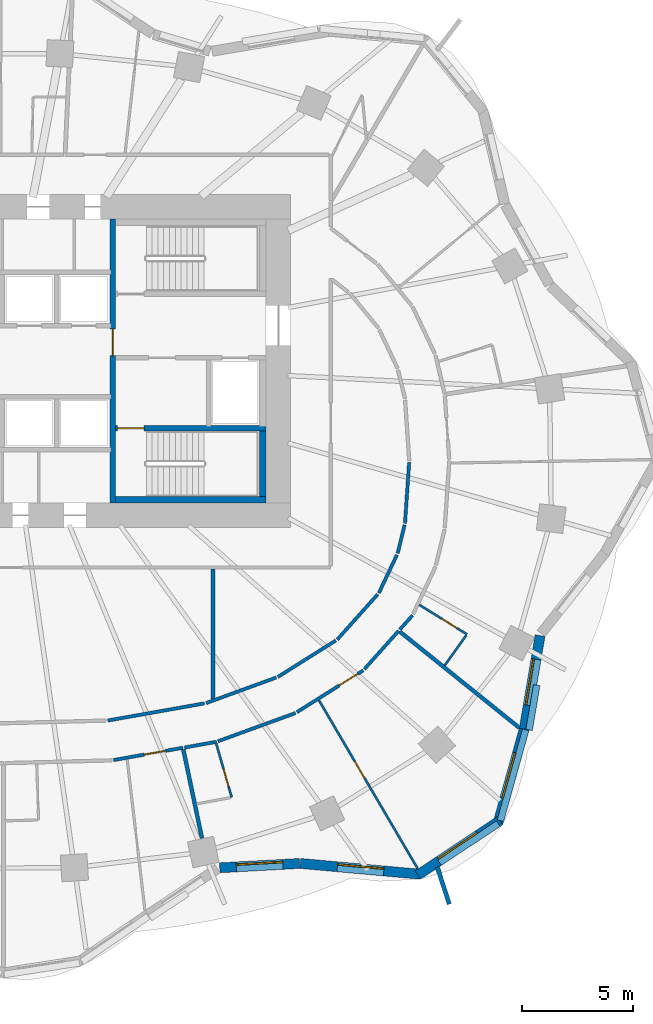
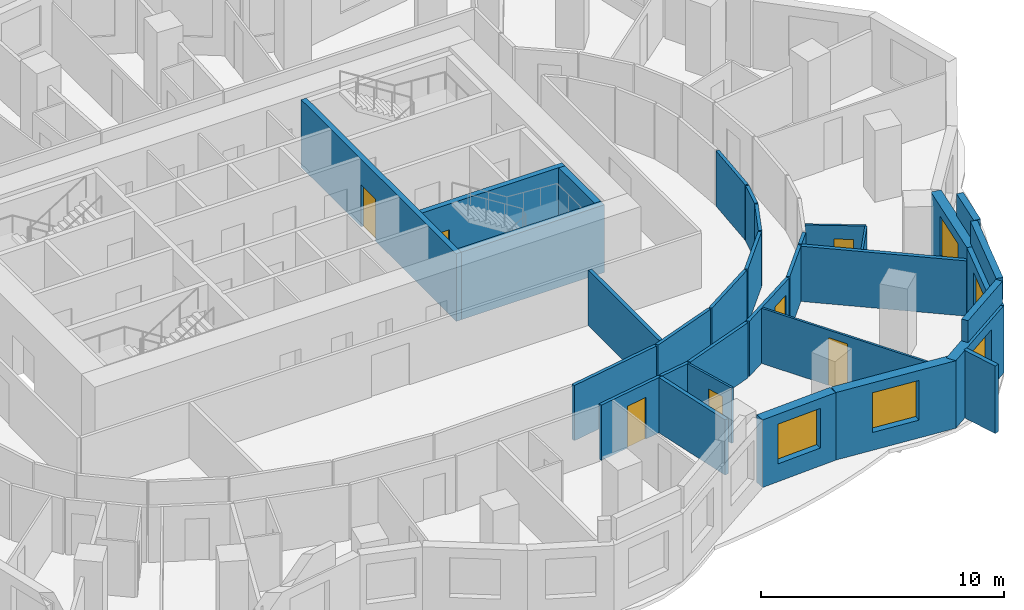
# One storey, part 6 of 11: 33 walls, 7 doors, 5 windows, 12 openings.
"""IFC4 building model written with IfcOpenShell, lengths in metres."""

from ifc_helpers import new_model, si_unit, direction, frame, frame_2d, origin, place, context, subcontext, project, spatial, rectangle, extrude, material, layer, layer_set, type_object, element, fill, save


model = new_model("IFC4")

# Units and contexts
model_context = context("Model", 3, precision=1e-05, world=origin(), true_north=direction((0.0, 1.0)))
body_context = subcontext(model_context, "Body", "Model", "MODEL_VIEW")
ifc_project = project(units=[si_unit("LENGTHUNIT", "METRE"), si_unit("AREAUNIT", "SQUARE_METRE"), si_unit("VOLUMEUNIT", "CUBIC_METRE"), si_unit("PLANEANGLEUNIT", "RADIAN"), si_unit("MASSUNIT", "GRAM", prefix="KILO")], contexts=[model_context])

# Site, building, storey
site_placement = place(None, origin())
site = spatial("IfcSite", under=ifc_project, at=site_placement, CompositionType="ELEMENT")
building_placement = place(site_placement, origin())
building = spatial("IfcBuilding", under=site, at=building_placement, Name="Rubra Terraces Tower", CompositionType="ELEMENT")
storey_placement = place(building_placement, frame((0.0, 0.0, 81.60009765625)))
storey = spatial("IfcBuildingStorey", under=building, at=storey_placement, Name="L18", CompositionType="ELEMENT", Elevation=81.60009765625)

# Walls
ifc_material_1 = material(Name="Twin plasterboard on staggered steel stud, acoustic mineral wool", Category="steel")
ifc_layer_1 = layer(ifc_material_1, 0.175048828125)
ifc_layer_set_1 = layer_set([ifc_layer_1], Name="Twin plasterboard on staggered steel stud, acoustic mineral wool")
wall_type_1 = type_object("IfcWallType", Name="ACOUSTIC PARTY WALL 175", PredefinedType="PARTITIONING", material=ifc_layer_set_1)
wall_1_placement = place(storey_placement, frame((9.00341796875, -17.003662109375, 0.0), z_axis=(0.0, 0.0, 1.0), x_axis=(-0.205490383359, 0.978659134912, 0.0)))
element("IfcWall", 1, at=wall_1_placement, inside=storey, type_object=wall_type_1, Name="PARTITION", PredefinedType="PARTITIONING", context=body_context, shape_type="SweptSolid", body=[
    extrude(rectangle(XDim=4.093017578125, YDim=0.175048828125, at=frame_2d((2.04638671875, 0.0))), origin(), (0.0, 0.0, 1.0), 2.783935546875),
])
wall_2_placement = place(storey_placement, frame((23.302001953125, -12.0234375, 0.0), z_axis=(0.0, 0.0, 1.0), x_axis=(-0.779049211338, 0.626962779049, 0.0)))
element("IfcWall", 2, at=wall_2_placement, inside=storey, type_object=wall_type_1, Name="PARTITION", PredefinedType="PARTITIONING", context=body_context, shape_type="SweptSolid", body=[
    extrude(rectangle(XDim=6.89794921875, YDim=0.175048828125, at=frame_2d((3.448974609375, 0.0))), origin(), (0.0, 0.0, 1.0), 2.783935546875),
])
wall_3_placement = place(storey_placement, frame((9.5, -10.723388671875, 0.0), z_axis=(0.0, 0.0, 1.0), x_axis=(0.0, 1.0, 0.0)))
element("IfcWall", 3, at=wall_3_placement, inside=storey, type_object=wall_type_1, Name="PARTITION", PredefinedType="PARTITIONING", context=body_context, shape_type="SweptSolid", body=[
    extrude(rectangle(XDim=5.848388671875, YDim=0.175048828125, at=frame_2d((2.92431640625, 0.0))), origin(), (0.0, 0.0, 1.0), 2.783935546875),
])

# Wall, opening, window
ifc_material_2 = material(Name="Brick masonry red-brown", Category="masonry")
ifc_layer_2 = layer(ifc_material_2, 0.449951171875)
ifc_layer_set_2 = layer_set([ifc_layer_2], Name="Brick masonry red-brown")
wall_type_2 = type_object("IfcWallType", Name="Brick facade wall 450", PredefinedType="SOLIDWALL", material=ifc_layer_set_2)
wall_4_placement = place(storey_placement, frame((9.80322265625, -18.333740234375, 0.0), z_axis=(0.0, 0.0, 1.0), x_axis=(0.998525941495, 0.054276552602, 0.0)))
wall_4 = element("IfcWall", 4, at=wall_4_placement, inside=storey, type_object=wall_type_2, Name="Facade wall L18 bay 34", PredefinedType="SOLIDWALL", context=body_context, shape_type="SweptSolid", body=[
    extrude(rectangle(XDim=3.60302734375, YDim=0.449951171875, at=frame_2d((1.801513671875, 0.0))), origin(), (0.0, 0.0, 1.0), 3.39990234375),
])
opening_1_placement = place(wall_4_placement, frame((0.75146484375, 0.0, 0.89990234375)))
opening_1 = element("IfcOpeningElement", 5, at=opening_1_placement, cuts=wall_4, Name="Opening W1", PredefinedType="OPENING", context=body_context, shape_type="SweptSolid", body=[
    extrude(rectangle(XDim=2.10009765625, YDim=2.0, at=frame_2d((1.050048828125, 1.0))), frame((0.0, 0.23486328125, 0.0), z_axis=(0.0, -1.0, 0.0), x_axis=(1.0, 0.0, 0.0)), (0.0, 0.0, 1.0), 0.469970703125),
])
ifc_material_3 = material(Name="Clear glass in aluminium frame", Category="aluminium")
window_type = type_object("IfcWindowType", Name="Fixed deep-set window 2100 x 2000", PartitioningType="SINGLE_PANEL", PredefinedType="WINDOW", material=ifc_material_3)
window_1_placement = place(opening_1_placement, origin())
window_1 = element("IfcWindow", 6, at=window_1_placement, inside=storey, type_object=window_type, Name="Window L18 bay 34", OverallHeight=2.0, OverallWidth=2.10009765625, PartitioningType="SINGLE_PANEL", PredefinedType="WINDOW", context=body_context, shape_type="SweptSolid", body=[
    extrude(rectangle(XDim=2.10009765625, YDim=2.0, at=frame_2d((1.050048828125, 1.0))), frame((0.0, 0.135009765625, 0.0), z_axis=(0.0, -1.0, 0.0), x_axis=(1.0, 0.0, 0.0)), (0.0, 0.0, 1.0), 0.06005859375),
])
fill(opening_1, window_1)

wall_5_placement = place(storey_placement, frame((13.435791015625, -18.1376953125, 0.0), z_axis=(0.0, 0.0, 1.0), x_axis=(0.99598810213, -0.089485755376, 0.0)))
wall_5 = element("IfcWall", 7, at=wall_5_placement, inside=storey, type_object=wall_type_2, Name="Facade wall L18 bay 35", PredefinedType="SOLIDWALL", context=body_context, shape_type="SweptSolid", body=[
    extrude(rectangle(XDim=5.451171875, YDim=0.449951171875, at=frame_2d((2.7255859375, 0.0))), origin(), (0.0, 0.0, 1.0), 3.39990234375),
])
opening_2_placement = place(wall_5_placement, frame((1.675537109375, 0.0, 0.89990234375)))
opening_2 = element("IfcOpeningElement", 8, at=opening_2_placement, cuts=wall_5, Name="Opening W1", PredefinedType="OPENING", context=body_context, shape_type="SweptSolid", body=[
    extrude(rectangle(XDim=2.10009765625, YDim=2.0, at=frame_2d((1.050048828125, 1.0))), frame((0.0, 0.23486328125, 0.0), z_axis=(0.0, -1.0, 0.0), x_axis=(1.0, 0.0, 0.0)), (0.0, 0.0, 1.0), 0.469970703125),
])
window_2_placement = place(opening_2_placement, origin())
window_2 = element("IfcWindow", 9, at=window_2_placement, inside=storey, type_object=window_type, Name="Window L18 bay 35", OverallHeight=2.0, OverallWidth=2.10009765625, PartitioningType="SINGLE_PANEL", PredefinedType="WINDOW", context=body_context, shape_type="SweptSolid", body=[
    extrude(rectangle(XDim=2.10009765625, YDim=2.0, at=frame_2d((1.050048828125, 1.0))), frame((0.0, 0.135009765625, 0.0), z_axis=(0.0, -1.0, 0.0), x_axis=(1.0, 0.0, 0.0)), (0.0, 0.0, 1.0), 0.06005859375),
])
fill(opening_2, window_2)

wall_6_placement = place(storey_placement, frame((18.7255859375, -18.66259765625, 0.0), z_axis=(0.0, 0.0, 1.0), x_axis=(0.83333921474, 0.552761931736, 0.0)))
wall_6 = element("IfcWall", 10, at=wall_6_placement, inside=storey, type_object=wall_type_2, Name="Facade wall L18 bay 36", PredefinedType="SOLIDWALL", context=body_context, shape_type="SweptSolid", body=[
    extrude(rectangle(XDim=4.45068359375, YDim=0.449951171875, at=frame_2d((2.225341796875, 0.0))), origin(), (0.0, 0.0, 1.0), 3.39990234375),
])
opening_3_placement = place(wall_6_placement, frame((1.17529296875, 0.0, 0.89990234375)))
opening_3 = element("IfcOpeningElement", 11, at=opening_3_placement, cuts=wall_6, Name="Opening W1", PredefinedType="OPENING", context=body_context, shape_type="SweptSolid", body=[
    extrude(rectangle(XDim=2.10009765625, YDim=2.0, at=frame_2d((1.050048828125, 1.0))), frame((0.0, 0.23486328125, 0.0), z_axis=(0.0, -1.0, 0.0), x_axis=(1.0, 0.0, 0.0)), (0.0, 0.0, 1.0), 0.469970703125),
])
window_3_placement = place(opening_3_placement, origin())
window_3 = element("IfcWindow", 12, at=window_3_placement, inside=storey, type_object=window_type, Name="Window L18 bay 36", OverallHeight=2.0, OverallWidth=2.10009765625, PartitioningType="SINGLE_PANEL", PredefinedType="WINDOW", context=body_context, shape_type="SweptSolid", body=[
    extrude(rectangle(XDim=2.10009765625, YDim=2.0, at=frame_2d((1.050048828125, 1.0))), frame((0.0, 0.135009765625, 0.0), z_axis=(0.0, -1.0, 0.0), x_axis=(1.0, 0.0, 0.0)), (0.0, 0.0, 1.0), 0.06005859375),
])
fill(opening_3, window_3)

wall_7_placement = place(storey_placement, frame((22.343505859375, -16.32568359375, 0.0), z_axis=(0.0, 0.0, 1.0), x_axis=(0.267925456304, 0.963439645159, 0.0)))
wall_7 = element("IfcWall", 13, at=wall_7_placement, inside=storey, type_object=wall_type_2, Name="Facade wall L18 bay 37", PredefinedType="SOLIDWALL", context=body_context, shape_type="SweptSolid", body=[
    extrude(rectangle(XDim=4.4267578125, YDim=0.449951171875, at=frame_2d((2.21337890625, 0.0))), origin(), (0.0, 0.0, 1.0), 3.39990234375),
])
opening_4_placement = place(wall_7_placement, frame((1.16357421875, 0.0, 0.89990234375)))
opening_4 = element("IfcOpeningElement", 14, at=opening_4_placement, cuts=wall_7, Name="Opening W1", PredefinedType="OPENING", context=body_context, shape_type="SweptSolid", body=[
    extrude(rectangle(XDim=2.10009765625, YDim=2.0, at=frame_2d((1.050048828125, 1.0))), frame((0.0, 0.23486328125, 0.0), z_axis=(0.0, -1.0, 0.0), x_axis=(1.0, 0.0, 0.0)), (0.0, 0.0, 1.0), 0.469970703125),
])
window_4_placement = place(opening_4_placement, origin())
window_4 = element("IfcWindow", 15, at=window_4_placement, inside=storey, type_object=window_type, Name="Window L18 bay 37", OverallHeight=2.0, OverallWidth=2.10009765625, PartitioningType="SINGLE_PANEL", PredefinedType="WINDOW", context=body_context, shape_type="SweptSolid", body=[
    extrude(rectangle(XDim=2.10009765625, YDim=2.0, at=frame_2d((1.050048828125, 1.0))), frame((0.0, 0.135009765625, 0.0), z_axis=(0.0, -1.0, 0.0), x_axis=(1.0, 0.0, 0.0)), (0.0, 0.0, 1.0), 0.06005859375),
])
fill(opening_4, window_4)

wall_8_placement = place(storey_placement, frame((23.524169921875, -12.0830078125, 0.0), z_axis=(0.0, 0.0, 1.0), x_axis=(0.167445072349, 0.985881406532, 0.0)))
wall_8 = element("IfcWall", 16, at=wall_8_placement, inside=storey, type_object=wall_type_2, Name="Facade wall L18 bay 38", PredefinedType="SOLIDWALL", context=body_context, shape_type="SweptSolid", body=[
    extrude(rectangle(XDim=4.27490234375, YDim=0.449951171875, at=frame_2d((2.137451171875, 0.0))), origin(), (0.0, 0.0, 1.0), 3.39990234375),
])
opening_5_placement = place(wall_8_placement, frame((1.08740234375, 0.0, 0.89990234375)))
opening_5 = element("IfcOpeningElement", 17, at=opening_5_placement, cuts=wall_8, Name="Opening W1", PredefinedType="OPENING", context=body_context, shape_type="SweptSolid", body=[
    extrude(rectangle(XDim=2.10009765625, YDim=2.0, at=frame_2d((1.050048828125, 1.0))), frame((0.0, 0.23486328125, 0.0), z_axis=(0.0, -1.0, 0.0), x_axis=(1.0, 0.0, 0.0)), (0.0, 0.0, 1.0), 0.469970703125),
])
window_5_placement = place(opening_5_placement, origin())
window_5 = element("IfcWindow", 18, at=window_5_placement, inside=storey, type_object=window_type, Name="Window L18 bay 38", OverallHeight=2.0, OverallWidth=2.10009765625, PartitioningType="SINGLE_PANEL", PredefinedType="WINDOW", context=body_context, shape_type="SweptSolid", body=[
    extrude(rectangle(XDim=2.10009765625, YDim=2.0, at=frame_2d((1.050048828125, 1.0))), frame((0.0, 0.135009765625, 0.0), z_axis=(0.0, -1.0, 0.0), x_axis=(1.0, 0.0, 0.0)), (0.0, 0.0, 1.0), 0.06005859375),
])
fill(opening_5, window_5)

# Walls
ifc_layer_3 = layer(ifc_material_2, 0.300048828125)
ifc_layer_set_3 = layer_set([ifc_layer_3], Name="Brick masonry red-brown")
wall_type_3 = type_object("IfcWallType", Name="Brick parapet 300", PredefinedType="PARAPET", material=ifc_layer_set_3)
wall_9_placement = place(storey_placement, frame((19.70751953125, -18.101318359375, 3.599853515625), z_axis=(0.0, 0.0, 1.0), x_axis=(0.833370664286, 0.552714515738, 0.0)))
element("IfcWall", 19, at=wall_9_placement, inside=storey, type_object=wall_type_3, Name="Parapet L18 bay 36", PredefinedType="PARAPET", context=body_context, shape_type="SweptSolid", body=[
    extrude(rectangle(XDim=3.180419921875, YDim=0.300048828125, at=frame_2d((1.59033203125, 0.0))), origin(), (0.0, 0.0, 1.0), 1.10009765625),
])
wall_10_placement = place(storey_placement, frame((22.452392578125, -16.213134765625, 3.599853515625), z_axis=(0.0, 0.0, 1.0), x_axis=(0.267993020858, 0.963420853403, 0.0)))
element("IfcWall", 20, at=wall_10_placement, inside=storey, type_object=wall_type_3, Name="Parapet L18 bay 37", PredefinedType="PARAPET", context=body_context, shape_type="SweptSolid", body=[
    extrude(rectangle(XDim=4.25537109375, YDim=0.300048828125, at=frame_2d((2.127685546875, 0.0))), origin(), (0.0, 0.0, 1.0), 1.10009765625),
])
wall_11_placement = place(storey_placement, frame((23.7451171875, -12.125, 3.599853515625), z_axis=(0.0, 0.0, 1.0), x_axis=(0.16743218322, 0.985883595574, 0.0)))
element("IfcWall", 21, at=wall_11_placement, inside=storey, type_object=wall_type_3, Name="Parapet L18 bay 38", PredefinedType="PARAPET", context=body_context, shape_type="SweptSolid", body=[
    extrude(rectangle(XDim=2.048583984375, YDim=0.300048828125, at=frame_2d((1.0244140625, 0.0))), origin(), (0.0, 0.0, 1.0), 1.10009765625),
])
ifc_layer_4 = layer(ifc_material_2, 0.199951171875)
ifc_layer_set_4 = layer_set([ifc_layer_4], Name="Brick masonry red-brown")
wall_type_4 = type_object("IfcWallType", Name="Brick wind fin 200", PredefinedType="SOLIDWALL", material=ifc_layer_set_4)
wall_12_placement = place(storey_placement, frame((19.60888671875, -18.304931640625, 0.0), z_axis=(0.0, 0.0, 1.0), x_axis=(0.308600224758, -0.951191832008, 0.0)))
element("IfcWall", 22, at=wall_12_placement, inside=storey, type_object=wall_type_4, Name="Wind fin L18 22", PredefinedType="SOLIDWALL", context=body_context, shape_type="SweptSolid", body=[
    extrude(rectangle(XDim=1.75, YDim=0.199951171875, at=frame_2d((0.875, 0.0))), origin(), (0.0, 0.0, 1.0), 3.39990234375),
])

# Wall, opening, door
ifc_material_4 = material(Name="Plasterboard on steel stud, mineral wool infill", Category="steel")
ifc_layer_5 = layer(ifc_material_4, 0.14990234375)
ifc_layer_set_5 = layer_set([ifc_layer_5], Name="Plasterboard on steel stud, mineral wool infill")
wall_type_5 = type_object("IfcWallType", Name="CORRIDOR PARTITION 150", PredefinedType="PARTITIONING", material=ifc_layer_set_5)
wall_13_placement = place(storey_placement, frame((5.0146484375, -13.480224609375, 0.0), z_axis=(0.0, 0.0, 1.0), x_axis=(0.984640294338, 0.174595219768, 0.0)))
wall_13 = element("IfcWall", 23, at=wall_13_placement, inside=storey, type_object=wall_type_5, Name="PARTITION", PredefinedType="PARTITIONING", context=body_context, shape_type="SweptSolid", body=[
    extrude(rectangle(XDim=3.18115234375, YDim=0.14990234375, at=frame_2d((1.590576171875, 0.0))), origin(), (0.0, 0.0, 1.0), 2.783935546875),
])
opening_6_placement = place(wall_13_placement, frame((1.39990234375, 0.0, 0.0)))
opening_6 = element("IfcOpeningElement", 24, at=opening_6_placement, cuts=wall_13, Name="Opening 18-129", PredefinedType="OPENING", context=body_context, shape_type="SweptSolid", body=[
    extrude(rectangle(XDim=1.0, YDim=2.10009765625, at=frame_2d((0.5, 1.050048828125))), frame((0.0, 0.0849609375, 0.0), z_axis=(0.0, -1.0, 0.0), x_axis=(1.0, 0.0, 0.0)), (0.0, 0.0, 1.0), 0.169921875),
])
ifc_material_5 = material(Name="Painted timber door leaf", Category="wood")
door_type_1 = type_object("IfcDoorType", Name="ROOM DOOR 1000 X 2100", OperationType="SINGLE_SWING_LEFT", PredefinedType="DOOR", material=ifc_material_5)
door_1_placement = place(opening_6_placement, origin())
door_1 = element("IfcDoor", 25, at=door_1_placement, inside=storey, type_object=door_type_1, Name="DOOR 18-129", OperationType="SINGLE_SWING_RIGHT", OverallHeight=2.10009765625, OverallWidth=1.0, PredefinedType="DOOR", context=body_context, shape_type="SweptSolid", body=[
    extrude(rectangle(XDim=1.0, YDim=2.10009765625, at=frame_2d((0.5, 1.050048828125))), frame((0.0, 0.02490234375, 0.0), z_axis=(0.0, -1.0, 0.0), x_axis=(1.0, 0.0, 0.0)), (0.0, 0.0, 1.0), 0.050048828125),
])
fill(opening_6, door_1)

# Walls
wall_14_placement = place(storey_placement, frame((8.220703125, -12.91162109375, 0.0), z_axis=(0.0, 0.0, 1.0), x_axis=(0.984645082055, 0.174568216995, 0.0)))
element("IfcWall", 26, at=wall_14_placement, inside=storey, type_object=wall_type_5, Name="PARTITION", PredefinedType="PARTITIONING", context=body_context, shape_type="SweptSolid", body=[
    extrude(rectangle(XDim=1.458740234375, YDim=0.14990234375, at=frame_2d((0.7294921875, 0.0))), origin(), (0.0, 0.0, 1.0), 2.783935546875),
])
wall_15_placement = place(storey_placement, frame((9.7275390625, -12.631103515625, 0.0), z_axis=(0.0, 0.0, 1.0), x_axis=(0.939626438181, 0.342201923826, 0.0)))
element("IfcWall", 27, at=wall_15_placement, inside=storey, type_object=wall_type_5, Name="PARTITION", PredefinedType="PARTITIONING", context=body_context, shape_type="SweptSolid", body=[
    extrude(rectangle(XDim=3.71630859375, YDim=0.14990234375, at=frame_2d((1.858154296875, 0.0))), origin(), (0.0, 0.0, 1.0), 2.783935546875),
])

# Wall, opening, door
wall_16_placement = place(storey_placement, frame((13.282958984375, -11.3193359375, 0.0), z_axis=(0.0, 0.0, 1.0), x_axis=(0.84630789582, 0.532694044901, 0.0)))
wall_16 = element("IfcWall", 28, at=wall_16_placement, inside=storey, type_object=wall_type_5, Name="PARTITION", PredefinedType="PARTITIONING", context=body_context, shape_type="SweptSolid", body=[
    extrude(rectangle(XDim=3.5302734375, YDim=0.14990234375, at=frame_2d((1.76513671875, 0.0))), origin(), (0.0, 0.0, 1.0), 2.783935546875),
])
opening_7_placement = place(wall_16_placement, frame((2.25, 0.0, 0.0)))
opening_7 = element("IfcOpeningElement", 29, at=opening_7_placement, cuts=wall_16, Name="Opening 18-132", PredefinedType="OPENING", context=body_context, shape_type="SweptSolid", body=[
    extrude(rectangle(XDim=1.0, YDim=2.10009765625, at=frame_2d((0.5, 1.050048828125))), frame((0.0, 0.0849609375, 0.0), z_axis=(0.0, -1.0, 0.0), x_axis=(1.0, 0.0, 0.0)), (0.0, 0.0, 1.0), 0.169921875),
])
door_2_placement = place(opening_7_placement, origin())
door_2 = element("IfcDoor", 30, at=door_2_placement, inside=storey, type_object=door_type_1, Name="DOOR 18-132", OperationType="SINGLE_SWING_RIGHT", OverallHeight=2.10009765625, OverallWidth=1.0, PredefinedType="DOOR", context=body_context, shape_type="SweptSolid", body=[
    extrude(rectangle(XDim=1.0, YDim=2.10009765625, at=frame_2d((0.5, 1.050048828125))), frame((0.0, 0.02490234375, 0.0), z_axis=(0.0, -1.0, 0.0), x_axis=(1.0, 0.0, 0.0)), (0.0, 0.0, 1.0), 0.050048828125),
])
fill(opening_7, door_2)

# Walls
wall_17_placement = place(storey_placement, frame((16.32080078125, -9.3828125, 0.0), z_axis=(0.0, 0.0, 1.0), x_axis=(0.666871661175, 0.745172589083, 0.0)))
element("IfcWall", 31, at=wall_17_placement, inside=storey, type_object=wall_type_5, Name="PARTITION", PredefinedType="PARTITIONING", context=body_context, shape_type="SweptSolid", body=[
    extrude(rectangle(XDim=2.322998046875, YDim=0.14990234375, at=frame_2d((1.16162109375, 0.0))), origin(), (0.0, 0.0, 1.0), 2.783935546875),
])
wall_18_placement = place(storey_placement, frame((17.919921875, -7.595947265625, 0.0), z_axis=(0.0, 0.0, 1.0), x_axis=(0.666719674525, 0.745308577437, 0.0)))
element("IfcWall", 32, at=wall_18_placement, inside=storey, type_object=wall_type_5, Name="PARTITION", PredefinedType="PARTITIONING", context=body_context, shape_type="SweptSolid", body=[
    extrude(rectangle(XDim=0.854248046875, YDim=0.14990234375, at=frame_2d((0.42724609375, 0.0))), origin(), (0.0, 0.0, 1.0), 2.783935546875),
])
wall_19_placement = place(storey_placement, frame((18.339599609375, -0.07470703125, 0.0), z_axis=(0.0, 0.0, 1.0), x_axis=(-0.068328193832, -0.997662897941, 0.0)))
element("IfcWall", 33, at=wall_19_placement, inside=storey, type_object=wall_type_5, Name="PARTITION", PredefinedType="PARTITIONING", context=body_context, shape_type="SweptSolid", body=[
    extrude(rectangle(XDim=2.740478515625, YDim=0.14990234375, at=frame_2d((1.3701171875, 0.0))), origin(), (0.0, 0.0, 1.0), 2.783935546875),
])
wall_20_placement = place(storey_placement, frame((18.134521484375, -2.8818359375, 0.0), z_axis=(0.0, 0.0, 1.0), x_axis=(-0.236653741324, -0.971594054489, 0.0)))
element("IfcWall", 34, at=wall_20_placement, inside=storey, type_object=wall_type_5, Name="PARTITION", PredefinedType="PARTITIONING", context=body_context, shape_type="SweptSolid", body=[
    extrude(rectangle(XDim=1.319580078125, YDim=0.14990234375, at=frame_2d((0.65966796875, 0.0))), origin(), (0.0, 0.0, 1.0), 2.783935546875),
])
wall_21_placement = place(storey_placement, frame((17.7900390625, -4.2314453125, 0.0), z_axis=(0.0, 0.0, 1.0), x_axis=(-0.428042272357, -0.90375871397, 0.0)))
element("IfcWall", 35, at=wall_21_placement, inside=storey, type_object=wall_type_5, Name="PARTITION", PredefinedType="PARTITIONING", context=body_context, shape_type="SweptSolid", body=[
    extrude(rectangle(XDim=1.905029296875, YDim=0.14990234375, at=frame_2d((0.95263671875, 0.0))), origin(), (0.0, 0.0, 1.0), 2.783935546875),
])
wall_22_placement = place(storey_placement, frame((16.924560546875, -6.009033203125, 0.0), z_axis=(0.0, 0.0, 1.0), x_axis=(-0.666893859891, -0.745152722359, 0.0)))
element("IfcWall", 36, at=wall_22_placement, inside=storey, type_object=wall_type_5, Name="PARTITION", PredefinedType="PARTITIONING", context=body_context, shape_type="SweptSolid", body=[
    extrude(rectangle(XDim=2.739013671875, YDim=0.14990234375, at=frame_2d((1.36962890625, 0.0))), origin(), (0.0, 0.0, 1.0), 2.783935546875),
])
wall_23_placement = place(storey_placement, frame((15.034423828125, -8.090087890625, 0.0), z_axis=(0.0, 0.0, 1.0), x_axis=(-0.846322679414, -0.532670557014, 0.0)))
element("IfcWall", 37, at=wall_23_placement, inside=storey, type_object=wall_type_5, Name="PARTITION", PredefinedType="PARTITIONING", context=body_context, shape_type="SweptSolid", body=[
    extrude(rectangle(XDim=3.08544921875, YDim=0.14990234375, at=frame_2d((1.542724609375, 0.0))), origin(), (0.0, 0.0, 1.0), 2.783935546875),
])
wall_24_placement = place(storey_placement, frame((12.3525390625, -9.759521484375, 0.0), z_axis=(0.0, 0.0, 1.0), x_axis=(-0.939632450309, -0.342185415127, 0.0)))
element("IfcWall", 38, at=wall_24_placement, inside=storey, type_object=wall_type_5, Name="PARTITION", PredefinedType="PARTITIONING", context=body_context, shape_type="SweptSolid", body=[
    extrude(rectangle(XDim=3.36767578125, YDim=0.14990234375, at=frame_2d((1.683837890625, 0.0))), origin(), (0.0, 0.0, 1.0), 2.783935546875),
])
wall_25_placement = place(storey_placement, frame((9.114501953125, -10.925048828125, 0.0), z_axis=(0.0, 0.0, 1.0), x_axis=(-0.984632605417, -0.174638576352, 0.0)))
element("IfcWall", 39, at=wall_25_placement, inside=storey, type_object=wall_type_5, Name="PARTITION", PredefinedType="PARTITIONING", context=body_context, shape_type="SweptSolid", body=[
    extrude(rectangle(XDim=4.423095703125, YDim=0.14990234375, at=frame_2d((2.21142578125, 0.0))), origin(), (0.0, 0.0, 1.0), 2.783935546875),
])
ifc_material_6 = material(Name="Concrete C40", Category="concrete")
ifc_layer_6 = layer(ifc_material_6, 0.300048828125)
ifc_layer_set_6 = layer_set([ifc_layer_6], Name="Concrete C40")
wall_type_6 = type_object("IfcWallType", Name="Core lining wall 300 concrete", PredefinedType="SOLIDWALL", material=ifc_layer_set_6)
wall_26_placement = place(storey_placement, frame((11.75, 1.35009765625, 0.0), z_axis=(0.0, 0.0, 1.0), x_axis=(0.0, -1.0, 0.0)))
element("IfcWall", 40, at=wall_26_placement, inside=storey, type_object=wall_type_6, Name="CORE LINING WALL L18", PredefinedType="SOLIDWALL", context=body_context, shape_type="SweptSolid", body=[
    extrude(rectangle(XDim=2.9501953125, YDim=0.300048828125, at=frame_2d((1.47509765625, 0.0))), origin(), (0.0, 0.0, 1.0), 3.39990234375),
])
wall_27_placement = place(storey_placement, frame((11.89990234375, -1.75, 0.0), z_axis=(0.0, 0.0, 1.0), x_axis=(-1.0, 0.0, 0.0)))
element("IfcWall", 41, at=wall_27_placement, inside=storey, type_object=wall_type_6, Name="CORE LINING WALL L18", PredefinedType="SOLIDWALL", context=body_context, shape_type="SweptSolid", body=[
    extrude(rectangle(XDim=6.7998046875, YDim=0.300048828125, at=frame_2d((3.39990234375, 0.0))), origin(), (0.0, 0.0, 1.0), 3.39990234375),
])

# Wall, opening, door
ifc_material_7 = material(Name="Plasterboard on steel stud", Category="steel")
ifc_layer_7 = layer(ifc_material_7, 0.10009765625)
ifc_layer_set_7 = layer_set([ifc_layer_7], Name="Plasterboard on steel stud")
wall_type_7 = type_object("IfcWallType", Name="ROOM PARTITION 100", PredefinedType="PARTITIONING", material=ifc_layer_set_7)
wall_28_placement = place(storey_placement, frame((18.730224609375, -18.383544921875, 0.0), z_axis=(0.0, 0.0, 1.0), x_axis=(-0.50573941389, 0.862686295961, 0.0)))
wall_28 = element("IfcWall", 42, at=wall_28_placement, inside=storey, type_object=wall_type_7, Name="PARTITION", PredefinedType="PARTITIONING", context=body_context, shape_type="SweptSolid", body=[
    extrude(rectangle(XDim=8.8095703125, YDim=0.10009765625, at=frame_2d((4.40478515625, 0.0))), origin(), (0.0, 0.0, 1.0), 2.783935546875),
])
opening_8_placement = place(wall_28_placement, frame((4.735107421875, 0.0, 0.0)))
opening_8 = element("IfcOpeningElement", 43, at=opening_8_placement, cuts=wall_28, Name="Opening 18-131", PredefinedType="OPENING", context=body_context, shape_type="SweptSolid", body=[
    extrude(rectangle(XDim=0.89990234375, YDim=2.39990234375, at=frame_2d((0.449951171875, 1.199951171875))), frame((0.0, 0.06005859375, 0.0), z_axis=(0.0, -1.0, 0.0), x_axis=(1.0, 0.0, 0.0)), (0.0, 0.0, 1.0), 0.1201171875),
])
ifc_material_8 = material(Name="Veneered timber door leaf, fire-rated", Category="wood")
door_type_2 = type_object("IfcDoorType", Name="SUITE ENTRANCE DOOR 900 X 2400", OperationType="SINGLE_SWING_LEFT", PredefinedType="DOOR", material=ifc_material_8)
door_3_placement = place(opening_8_placement, origin())
door_3 = element("IfcDoor", 44, at=door_3_placement, inside=storey, type_object=door_type_2, Name="DOOR 18-131", OperationType="SINGLE_SWING_LEFT", OverallHeight=2.39990234375, OverallWidth=0.89990234375, PredefinedType="DOOR", context=body_context, shape_type="SweptSolid", body=[
    extrude(rectangle(XDim=0.89990234375, YDim=2.39990234375, at=frame_2d((0.449951171875, 1.199951171875))), frame((0.0, 0.02490234375, 0.0), z_axis=(0.0, -1.0, 0.0), x_axis=(1.0, 0.0, 0.0)), (0.0, 0.0, 1.0), 0.050048828125),
])
fill(opening_8, door_3)

wall_29_placement = place(storey_placement, frame((9.644775390625, -12.73486328125, 0.0), z_axis=(0.0, 0.0, 1.0), x_axis=(0.27694262008, -0.960886458008, 0.0)))
wall_29 = element("IfcWall", 45, at=wall_29_placement, inside=storey, type_object=wall_type_7, Name="PARTITION", PredefinedType="PARTITIONING", context=body_context, shape_type="SweptSolid", body=[
    extrude(rectangle(XDim=2.524658203125, YDim=0.10009765625, at=frame_2d((1.26220703125, 0.0))), origin(), (0.0, 0.0, 1.0), 2.783935546875),
])
opening_9_placement = place(wall_29_placement, frame((1.199951171875, 0.0, 0.0)))
opening_9 = element("IfcOpeningElement", 46, at=opening_9_placement, cuts=wall_29, Name="Opening 18-130", PredefinedType="OPENING", context=body_context, shape_type="SweptSolid", body=[
    extrude(rectangle(XDim=0.800048828125, YDim=2.10009765625, at=frame_2d((0.39990234375, 1.050048828125))), frame((0.0, 0.06005859375, 0.0), z_axis=(0.0, -1.0, 0.0), x_axis=(1.0, 0.0, 0.0)), (0.0, 0.0, 1.0), 0.1201171875),
])
door_type_3 = type_object("IfcDoorType", Name="BATHROOM DOOR 800 X 2100", OperationType="SINGLE_SWING_LEFT", PredefinedType="DOOR", material=ifc_material_5)
door_4_placement = place(opening_9_placement, origin())
door_4 = element("IfcDoor", 47, at=door_4_placement, inside=storey, type_object=door_type_3, Name="DOOR 18-130", OperationType="SINGLE_SWING_LEFT", OverallHeight=2.10009765625, OverallWidth=0.800048828125, PredefinedType="DOOR", context=body_context, shape_type="SweptSolid", body=[
    extrude(rectangle(XDim=0.800048828125, YDim=2.10009765625, at=frame_2d((0.39990234375, 1.050048828125))), frame((0.0, 0.02490234375, 0.0), z_axis=(0.0, -1.0, 0.0), x_axis=(1.0, 0.0, 0.0)), (0.0, 0.0, 1.0), 0.050048828125),
])
fill(opening_9, door_4)

wall_30_placement = place(storey_placement, frame((18.797607421875, -6.483154296875, 0.0), z_axis=(0.0, 0.0, 1.0), x_axis=(0.850374338708, -0.526178186612, 0.0)))
wall_30 = element("IfcWall", 48, at=wall_30_placement, inside=storey, type_object=wall_type_7, Name="PARTITION", PredefinedType="PARTITIONING", context=body_context, shape_type="SweptSolid", body=[
    extrude(rectangle(XDim=2.525146484375, YDim=0.10009765625, at=frame_2d((1.2626953125, 0.0))), origin(), (0.0, 0.0, 1.0), 2.783935546875),
])
opening_10_placement = place(wall_30_placement, frame((1.199951171875, 0.0, 0.0)))
opening_10 = element("IfcOpeningElement", 49, at=opening_10_placement, cuts=wall_30, Name="Opening 18-133", PredefinedType="OPENING", context=body_context, shape_type="SweptSolid", body=[
    extrude(rectangle(XDim=0.800048828125, YDim=2.10009765625, at=frame_2d((0.39990234375, 1.050048828125))), frame((0.0, 0.06005859375, 0.0), z_axis=(0.0, -1.0, 0.0), x_axis=(1.0, 0.0, 0.0)), (0.0, 0.0, 1.0), 0.1201171875),
])
door_5_placement = place(opening_10_placement, origin())
door_5 = element("IfcDoor", 50, at=door_5_placement, inside=storey, type_object=door_type_3, Name="DOOR 18-133", OperationType="SINGLE_SWING_LEFT", OverallHeight=2.10009765625, OverallWidth=0.800048828125, PredefinedType="DOOR", context=body_context, shape_type="SweptSolid", body=[
    extrude(rectangle(XDim=0.800048828125, YDim=2.10009765625, at=frame_2d((0.39990234375, 1.050048828125))), frame((0.0, 0.02490234375, 0.0), z_axis=(0.0, -1.0, 0.0), x_axis=(1.0, 0.0, 0.0)), (0.0, 0.0, 1.0), 0.050048828125),
])
fill(opening_10, door_5)

# Wall
wall_31_placement = place(storey_placement, frame((20.915771484375, -7.852294921875, 0.0), z_axis=(0.0, 0.0, 1.0), x_axis=(-0.580922254291, -0.813959049627, 0.0)))
element("IfcWall", 51, at=wall_31_placement, inside=storey, type_object=wall_type_7, Name="PARTITION", PredefinedType="PARTITIONING", context=body_context, shape_type="SweptSolid", body=[
    extrude(rectangle(XDim=1.681396484375, YDim=0.10009765625, at=frame_2d((0.8408203125, 0.0))), origin(), (0.0, 0.0, 1.0), 2.783935546875),
])

# Wall, opening, door
ifc_layer_8 = layer(ifc_material_6, 0.25)
ifc_layer_set_8 = layer_set([ifc_layer_8], Name="Concrete C40")
wall_type_8 = type_object("IfcWallType", Name="Stair enclosure wall 250 concrete", PredefinedType="SOLIDWALL", material=ifc_layer_set_8)
wall_32_placement = place(storey_placement, frame((11.89990234375, 1.47509765625, 0.0), z_axis=(0.0, 0.0, 1.0), x_axis=(-1.0, 0.0, 0.0)))
wall_32 = element("IfcWall", 52, at=wall_32_placement, inside=storey, type_object=wall_type_8, Name="STAIR WALL L18", PredefinedType="SOLIDWALL", context=body_context, shape_type="SweptSolid", body=[
    extrude(rectangle(XDim=6.7998046875, YDim=0.25, at=frame_2d((3.39990234375, 0.0))), origin(), (0.0, 0.0, 1.0), 3.39990234375),
])
opening_11_placement = place(wall_32_placement, frame((5.5, 0.0, 0.0)))
opening_11 = element("IfcOpeningElement", 53, at=opening_11_placement, cuts=wall_32, Name="Opening L18.C10", PredefinedType="OPENING", context=body_context, shape_type="SweptSolid", body=[
    extrude(rectangle(XDim=1.199951171875, YDim=2.10009765625, at=frame_2d((0.60009765625, 1.050048828125))), frame((0.0, 0.135009765625, 0.0), z_axis=(0.0, -1.0, 0.0), x_axis=(1.0, 0.0, 0.0)), (0.0, 0.0, 1.0), 0.27001953125),
])
ifc_material_9 = material(Name="Painted steel", Category="steel")
door_type_4 = type_object("IfcDoorType", Name="Fire door 1200x2100 single", OperationType="NOTDEFINED", PredefinedType="DOOR", material=ifc_material_9)
door_6_placement = place(opening_11_placement, origin())
door_6 = element("IfcDoor", 54, at=door_6_placement, inside=storey, type_object=door_type_4, Name="Stair door S4", OperationType="SINGLE_SWING_RIGHT", OverallHeight=2.10009765625, OverallWidth=1.199951171875, PredefinedType="DOOR", context=body_context, shape_type="SweptSolid", body=[
    extrude(rectangle(XDim=1.199951171875, YDim=2.10009765625, at=frame_2d((0.60009765625, 1.050048828125))), frame((0.0, 0.02490234375, 0.0), z_axis=(0.0, -1.0, 0.0), x_axis=(1.0, 0.0, 0.0)), (0.0, 0.0, 1.0), 0.050048828125),
])
fill(opening_11, door_6)

wall_33_placement = place(storey_placement, frame((4.97509765625, 10.89990234375, 0.0), z_axis=(0.0, 0.0, 1.0), x_axis=(0.0, -1.0, 0.0)))
wall_33 = element("IfcWall", 55, at=wall_33_placement, inside=storey, type_object=wall_type_8, Name="CORE LOBBY WALL L18", PredefinedType="SOLIDWALL", context=body_context, shape_type="SweptSolid", body=[
    extrude(rectangle(XDim=12.7998046875, YDim=0.25, at=frame_2d((6.39990234375, 0.0))), origin(), (0.0, 0.0, 1.0), 3.39990234375),
])
opening_12_placement = place(wall_33_placement, frame((4.949951171875, 0.0, 0.0)))
opening_12 = element("IfcOpeningElement", 56, at=opening_12_placement, cuts=wall_33, Name="Opening L18.C04", PredefinedType="OPENING", context=body_context, shape_type="SweptSolid", body=[
    extrude(rectangle(XDim=1.199951171875, YDim=2.10009765625, at=frame_2d((0.60009765625, 1.050048828125))), frame((0.0, 0.135009765625, 0.0), z_axis=(0.0, -1.0, 0.0), x_axis=(1.0, 0.0, 0.0)), (0.0, 0.0, 1.0), 0.27001953125),
])
door_7_placement = place(opening_12_placement, origin())
door_7 = element("IfcDoor", 57, at=door_7_placement, inside=storey, type_object=door_type_4, Name="Firefighting lobby door FF2", OperationType="SINGLE_SWING_RIGHT", OverallHeight=2.10009765625, OverallWidth=1.199951171875, PredefinedType="DOOR", context=body_context, shape_type="SweptSolid", body=[
    extrude(rectangle(XDim=1.199951171875, YDim=2.10009765625, at=frame_2d((0.60009765625, 1.050048828125))), frame((0.0, 0.02490234375, 0.0), z_axis=(0.0, -1.0, 0.0), x_axis=(1.0, 0.0, 0.0)), (0.0, 0.0, 1.0), 0.050048828125),
])
fill(opening_12, door_7)

save(model, "model.ifc")
